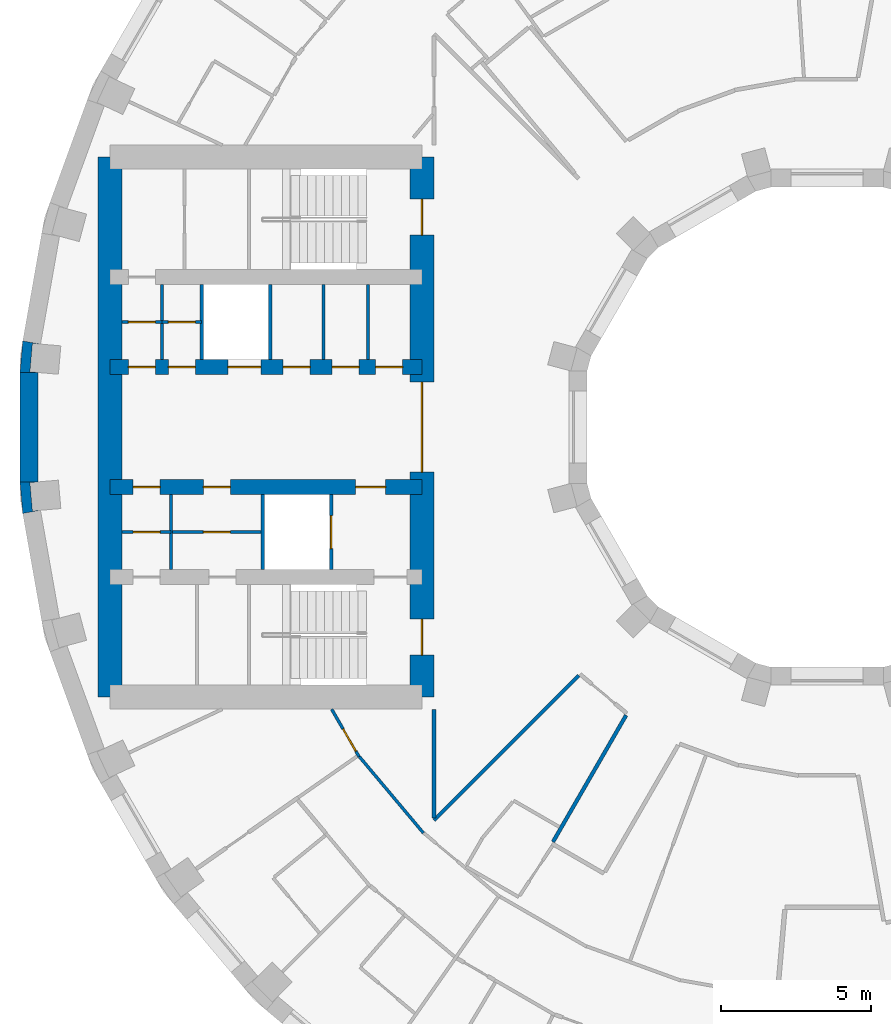
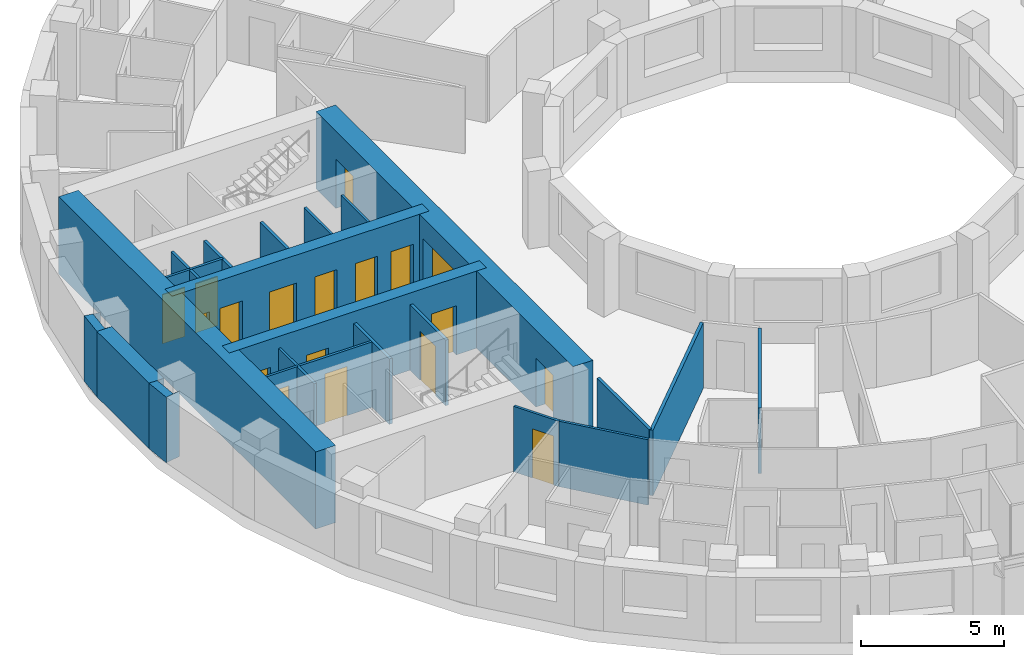
# One storey, part 7 of 16: 24 walls, 18 doors, 18 openings.
"""IFC4 building model written with IfcOpenShell, lengths in metres."""

from ifc_helpers import new_model, si_unit, direction, frame, frame_2d, origin, place, context, subcontext, project, spatial, polyline, rectangle, outline, extrude, material, layer, layer_set, type_object, element, fill, save


model = new_model("IFC4")

# Units and contexts
model_context = context("Model", 3, precision=1e-05, world=origin(), true_north=direction((0.0, 1.0)))
body_context = subcontext(model_context, "Body", "Model", "MODEL_VIEW")
ifc_project = project(units=[si_unit("LENGTHUNIT", "METRE"), si_unit("AREAUNIT", "SQUARE_METRE"), si_unit("VOLUMEUNIT", "CUBIC_METRE"), si_unit("PLANEANGLEUNIT", "RADIAN"), si_unit("MASSUNIT", "GRAM", prefix="KILO")], contexts=[model_context])

# Site, building, storey
site_placement = place(None, origin())
site = spatial("IfcSite", under=ifc_project, at=site_placement, CompositionType="ELEMENT")
building_placement = place(site_placement, origin())
building = spatial("IfcBuilding", under=site, at=building_placement, Name="Saqina Gate Tower", CompositionType="ELEMENT")
storey_placement = place(building_placement, frame((0.0, 0.0, 144.699951171875)))
storey = spatial("IfcBuildingStorey", under=building, at=storey_placement, Name="L41", CompositionType="ELEMENT", Elevation=144.699951171875)

# Walls
ifc_material_1 = material(Name="Brick masonry (buff)", Category="masonry")
wall_type_1 = type_object("IfcWallType", Name="BRICK PIER COPING BUFF", PredefinedType="SOLIDWALL", material=ifc_material_1)
wall_1_placement = place(storey_placement, origin())
element("IfcWall", 1, at=wall_1_placement, inside=storey, type_object=wall_type_1, Name="Pier cap L41 column 18", PredefinedType="SOLIDWALL", context=body_context, shape_type="SweptSolid", body=[
    extrude(outline(polyline([(-26.805419921875, 2.87451171875), (-26.897216796875, 1.823974609375), (-26.29736328125, 1.823974609375), (-26.565185546875, 1.847412109375), (-26.482421875, 2.793701171875), (-26.214599609375, 2.770263671875), (-26.805419921875, 2.87451171875)])), origin(), (0.0, 0.0, 1.0), 2.800048828125),
])
wall_2_placement = place(storey_placement, origin())
element("IfcWall", 2, at=wall_2_placement, inside=storey, type_object=wall_type_1, Name="Pier cap L41 column 19", PredefinedType="SOLIDWALL", context=body_context, shape_type="SweptSolid", body=[
    extrude(outline(polyline([(-26.805419921875, -2.87451171875), (-26.214599609375, -2.770263671875), (-26.482421875, -2.793701171875), (-26.565185546875, -1.847412109375), (-26.29736328125, -1.823974609375), (-26.897216796875, -1.823974609375), (-26.805419921875, -2.87451171875)])), origin(), (0.0, 0.0, 1.0), 2.800048828125),
])
ifc_material_2 = material(Name="Gypsum board on steel studs", Category="steel")
ifc_layer_1 = layer(ifc_material_2, 0.10009765625)
ifc_layer_set_1 = layer_set([ifc_layer_1], Name="CORE PARTITION")
wall_type_2 = type_object("IfcWallType", Name="CORE PARTITION", PredefinedType="PARTITIONING", material=ifc_layer_set_1)
for number, where, z_axis, x_axis, name in (
    (3, (-15.298095703125, 2.25, 0.0), (0.0, 0.0, 1.0), (0.0, 1.0, 0.0), "L41-CP-W01"),
    (4, (-16.789306640625, 2.25, 0.0), (0.0, 0.0, 1.0), (0.0, 1.0, 0.0), "L41-CP-W02"),
    (5, (-22.169921875, 2.25, 0.0), (0.0, 0.0, 1.0), (0.0, 1.0, 0.0), "L41-CP-W05"),
    (6, (-21.8583984375, -4.75, 0.0), (0.0, 0.0, 1.0), (0.0, 1.0, 0.0), "L41-CP-W08"),
):
    element("IfcWall", number, at=place(storey_placement, frame(where, z_axis=z_axis, x_axis=x_axis)), inside=storey, type_object=wall_type_2, Name=name, PredefinedType="PARTITIONING", context=body_context, shape_type="SweptSolid", body=[
        extrude(rectangle(XDim=2.5, YDim=0.10009765625, at=frame_2d((1.25, 0.0))), origin(), (0.0, 0.0, 1.0), 2.800048828125),
    ])

# Wall, opening, door
wall_3_placement = place(storey_placement, frame((-20.840087890625, 3.5, 0.0), z_axis=(0.0, 0.0, 1.0), x_axis=(-1.0, 0.0, 0.0)))
wall_3 = element("IfcWall", 7, at=wall_3_placement, inside=storey, type_object=wall_type_2, Name="L41-CP-W09", PredefinedType="PARTITIONING", context=body_context, shape_type="SweptSolid", body=[
    extrude(rectangle(XDim=1.329833984375, YDim=0.10009765625, at=frame_2d((0.6650390625, 0.0))), origin(), (0.0, 0.0, 1.0), 2.800048828125),
])
opening_1_placement = place(wall_3_placement, frame((0.215087890625, 0.0, 0.0)))
opening_1 = element("IfcOpeningElement", 8, at=opening_1_placement, cuts=wall_3, Name="Opening G12-D119", PredefinedType="OPENING", context=body_context, shape_type="SweptSolid", body=[
    extrude(rectangle(XDim=0.89990234375, YDim=2.10009765625, at=frame_2d((0.449951171875, 1.050048828125))), frame((0.0, 0.06201171875, 0.0), z_axis=(0.0, -1.0, 0.0), x_axis=(1.0, 0.0, 0.0)), (0.0, 0.0, 1.0), 0.1240234375),
])
ifc_material_3 = material(Name="Steel-framed fire door leaf, EI 60", Category="steel")
door_type_1 = type_object("IfcDoorType", Name="SERVICE ROOM DOOR 900", OperationType="SINGLE_SWING_LEFT", PredefinedType="DOOR", material=ifc_material_3)
door_1_placement = place(opening_1_placement, frame((0.89990234375, 0.0, 0.0), z_axis=(0.0, 0.0, 1.0), x_axis=(-1.0, 0.0, 0.0)))
door_1 = element("IfcDoor", 9, at=door_1_placement, inside=storey, type_object=door_type_1, Name="L41-CD-W30", OperationType="SINGLE_SWING_RIGHT", OverallHeight=2.10009765625, OverallWidth=0.89990234375, PredefinedType="DOOR", context=body_context, shape_type="SweptSolid", body=[
    extrude(rectangle(XDim=0.89990234375, YDim=2.10009765625, at=frame_2d((0.449951171875, 1.050048828125))), frame((0.0, 0.02490234375, 0.0), z_axis=(0.0, -1.0, 0.0), x_axis=(1.0, 0.0, 0.0)), (0.0, 0.0, 1.0), 0.050048828125),
])
fill(opening_1, door_1)

wall_4_placement = place(storey_placement, frame((-22.169921875, 3.5, 0.0), z_axis=(0.0, 0.0, 1.0), x_axis=(-1.0, 0.0, 0.0)))
wall_4 = element("IfcWall", 10, at=wall_4_placement, inside=storey, type_object=wall_type_2, Name="L41-CP-W10", PredefinedType="PARTITIONING", context=body_context, shape_type="SweptSolid", body=[
    extrude(rectangle(XDim=1.330078125, YDim=0.10009765625, at=frame_2d((0.6650390625, 0.0))), origin(), (0.0, 0.0, 1.0), 2.800048828125),
])
opening_2_placement = place(wall_4_placement, frame((0.215087890625, 0.0, 0.0)))
opening_2 = element("IfcOpeningElement", 11, at=opening_2_placement, cuts=wall_4, Name="Opening G12-D118", PredefinedType="OPENING", context=body_context, shape_type="SweptSolid", body=[
    extrude(rectangle(XDim=0.89990234375, YDim=2.10009765625, at=frame_2d((0.449951171875, 1.050048828125))), frame((0.0, 0.06201171875, 0.0), z_axis=(0.0, -1.0, 0.0), x_axis=(1.0, 0.0, 0.0)), (0.0, 0.0, 1.0), 0.1240234375),
])
door_2_placement = place(opening_2_placement, frame((0.89990234375, 0.0, 0.0), z_axis=(0.0, 0.0, 1.0), x_axis=(-1.0, 0.0, 0.0)))
door_2 = element("IfcDoor", 12, at=door_2_placement, inside=storey, type_object=door_type_1, Name="L41-CD-W29", OperationType="SINGLE_SWING_LEFT", OverallHeight=2.10009765625, OverallWidth=0.89990234375, PredefinedType="DOOR", context=body_context, shape_type="SweptSolid", body=[
    extrude(rectangle(XDim=0.89990234375, YDim=2.10009765625, at=frame_2d((0.449951171875, 1.050048828125))), frame((0.0, 0.02490234375, 0.0), z_axis=(0.0, -1.0, 0.0), x_axis=(1.0, 0.0, 0.0)), (0.0, 0.0, 1.0), 0.050048828125),
])
fill(opening_2, door_2)

wall_5_placement = place(storey_placement, frame((-18.81005859375, -3.5, 0.0), z_axis=(0.0, 0.0, 1.0), x_axis=(-1.0, 0.0, 0.0)))
wall_5 = element("IfcWall", 13, at=wall_5_placement, inside=storey, type_object=wall_type_2, Name="L41-CP-W11", PredefinedType="PARTITIONING", context=body_context, shape_type="SweptSolid", body=[
    extrude(rectangle(XDim=3.04833984375, YDim=0.10009765625, at=frame_2d((1.524169921875, 0.0))), origin(), (0.0, 0.0, 1.0), 2.800048828125),
])
opening_3_placement = place(wall_5_placement, frame((1.07421875, 0.0, 0.0)))
opening_3 = element("IfcOpeningElement", 14, at=opening_3_placement, cuts=wall_5, Name="Opening G12-D123", PredefinedType="OPENING", context=body_context, shape_type="SweptSolid", body=[
    extrude(rectangle(XDim=0.89990234375, YDim=2.10009765625, at=frame_2d((0.449951171875, 1.050048828125))), frame((0.0, 0.06201171875, 0.0), z_axis=(0.0, -1.0, 0.0), x_axis=(1.0, 0.0, 0.0)), (0.0, 0.0, 1.0), 0.1240234375),
])
door_3_placement = place(opening_3_placement, origin())
door_3 = element("IfcDoor", 15, at=door_3_placement, inside=storey, type_object=door_type_1, Name="L41-CD-W34", OperationType="SINGLE_SWING_LEFT", OverallHeight=2.10009765625, OverallWidth=0.89990234375, PredefinedType="DOOR", context=body_context, shape_type="SweptSolid", body=[
    extrude(rectangle(XDim=0.89990234375, YDim=2.10009765625, at=frame_2d((0.449951171875, 1.050048828125))), frame((0.0, 0.02490234375, 0.0), z_axis=(0.0, -1.0, 0.0), x_axis=(1.0, 0.0, 0.0)), (0.0, 0.0, 1.0), 0.050048828125),
])
fill(opening_3, door_3)

wall_6_placement = place(storey_placement, frame((-21.8583984375, -3.5, 0.0), z_axis=(0.0, 0.0, 1.0), x_axis=(-1.0, 0.0, 0.0)))
wall_6 = element("IfcWall", 16, at=wall_6_placement, inside=storey, type_object=wall_type_2, Name="L41-CP-W12", PredefinedType="PARTITIONING", context=body_context, shape_type="SweptSolid", body=[
    extrude(rectangle(XDim=1.6416015625, YDim=0.10009765625, at=frame_2d((0.82080078125, 0.0))), origin(), (0.0, 0.0, 1.0), 2.800048828125),
])
opening_4_placement = place(wall_6_placement, frame((0.370849609375, 0.0, 0.0)))
opening_4 = element("IfcOpeningElement", 17, at=opening_4_placement, cuts=wall_6, Name="Opening G12-D122", PredefinedType="OPENING", context=body_context, shape_type="SweptSolid", body=[
    extrude(rectangle(XDim=0.89990234375, YDim=2.10009765625, at=frame_2d((0.449951171875, 1.050048828125))), frame((0.0, 0.06201171875, 0.0), z_axis=(0.0, -1.0, 0.0), x_axis=(1.0, 0.0, 0.0)), (0.0, 0.0, 1.0), 0.1240234375),
])
door_4_placement = place(opening_4_placement, origin())
door_4 = element("IfcDoor", 18, at=door_4_placement, inside=storey, type_object=door_type_1, Name="L41-CD-W33", OperationType="SINGLE_SWING_RIGHT", OverallHeight=2.10009765625, OverallWidth=0.89990234375, PredefinedType="DOOR", context=body_context, shape_type="SweptSolid", body=[
    extrude(rectangle(XDim=0.89990234375, YDim=2.10009765625, at=frame_2d((0.449951171875, 1.050048828125))), frame((0.0, 0.02490234375, 0.0), z_axis=(0.0, -1.0, 0.0), x_axis=(1.0, 0.0, 0.0)), (0.0, 0.0, 1.0), 0.050048828125),
])
fill(opening_4, door_4)

# Wall
ifc_material_4 = material(Name="Glazed ceramic tile", Category="ceramic")
ifc_layer_2 = layer(ifc_material_4, 0.60009765625)
ifc_layer_set_2 = layer_set([ifc_layer_2], Name="FW-TILE")
wall_type_3 = type_object("IfcWallType", Name="FW-TILE", PredefinedType="SOLIDWALL", material=ifc_layer_set_2)
wall_7_placement = place(storey_placement, frame((-26.59716796875, 1.823974609375, 0.0), z_axis=(0.0, 0.0, 1.0), x_axis=(0.0, -1.0, 0.0)))
element("IfcWall", 19, at=wall_7_placement, inside=storey, type_object=wall_type_3, Name="Facade wall L41 facet 18", PredefinedType="SOLIDWALL", context=body_context, shape_type="SweptSolid", body=[
    extrude(rectangle(XDim=3.64794921875, YDim=0.60009765625, at=frame_2d((1.823974609375, 0.0))), origin(), (0.0, 0.0, 1.0), 2.800048828125),
])

# Wall, opening, door
ifc_material_5 = material(Name="Gypsum board on steel studs, 100 mm", Category="steel")
ifc_layer_3 = layer(ifc_material_5, 0.10009765625)
ifc_layer_set_3 = layer_set([ifc_layer_3], Name="PARTITION 100")
wall_type_4 = type_object("IfcWallType", Name="PARTITION 100", PredefinedType="PARTITIONING", material=ifc_layer_set_3)
wall_8_placement = place(storey_placement, frame((-16.510009765625, -9.39990234375, 0.0), z_axis=(0.0, 0.0, 1.0), x_axis=(0.499745582535, -0.866172241957, 0.0)))
wall_8 = element("IfcWall", 20, at=wall_8_placement, inside=storey, type_object=wall_type_4, Name="PARTITION PW3-11", PredefinedType="PARTITIONING", context=body_context, shape_type="SweptSolid", body=[
    extrude(rectangle(XDim=1.82763671875, YDim=0.10009765625, at=frame_2d((0.913818359375, 0.0))), origin(), (0.0, 0.0, 1.0), 2.800048828125),
])
opening_5_placement = place(wall_8_placement, frame((0.763427734375, 0.0, 0.0)))
opening_5 = element("IfcOpeningElement", 21, at=opening_5_placement, cuts=wall_8, Name="Opening G12-D32", PredefinedType="OPENING", context=body_context, shape_type="SweptSolid", body=[
    extrude(rectangle(XDim=0.85009765625, YDim=2.10009765625, at=frame_2d((0.425048828125, 1.050048828125))), frame((0.0, 0.06201171875, 0.0), z_axis=(0.0, -1.0, 0.0), x_axis=(1.0, 0.0, 0.0)), (0.0, 0.0, 1.0), 0.1240234375),
])
ifc_material_6 = material(Name="Timber door leaf, 850 mm", Category="wood")
door_type_2 = type_object("IfcDoorType", Name="DOOR 850 TIMBER", OperationType="SINGLE_SWING_LEFT", PredefinedType="DOOR", material=ifc_material_6)
door_5_placement = place(opening_5_placement, origin())
door_5 = element("IfcDoor", 22, at=door_5_placement, inside=storey, type_object=door_type_2, Name="DOOR G12-D32", OperationType="SINGLE_SWING_LEFT", OverallHeight=2.10009765625, OverallWidth=0.85009765625, PredefinedType="DOOR", context=body_context, shape_type="SweptSolid", body=[
    extrude(rectangle(XDim=0.85009765625, YDim=2.10009765625, at=frame_2d((0.425048828125, 1.050048828125))), frame((0.0, 0.02490234375, 0.0), z_axis=(0.0, -1.0, 0.0), x_axis=(1.0, 0.0, 0.0)), (0.0, 0.0, 1.0), 0.050048828125),
])
fill(opening_5, door_5)

# Walls
wall_9_placement = place(storey_placement, frame((-15.58984375, -10.977294921875, 0.0), z_axis=(0.0, 0.0, 1.0), x_axis=(0.642888943472, -0.765959402554, 0.0)))
element("IfcWall", 23, at=wall_9_placement, inside=storey, type_object=wall_type_4, Name="PARTITION PW3-18", PredefinedType="PARTITIONING", context=body_context, shape_type="SweptSolid", body=[
    extrude(rectangle(XDim=3.32470703125, YDim=0.10009765625, at=frame_2d((1.662353515625, 0.0))), origin(), (0.0, 0.0, 1.0), 2.800048828125),
])
ifc_material_7 = material(Name="Gypsum board on steel studs, 125 mm, fire rated", Category="steel")
ifc_layer_4 = layer(ifc_material_7, 0.125)
ifc_layer_set_4 = layer_set([ifc_layer_4], Name="PARTITION EI 30 125")
wall_type_5 = type_object("IfcWallType", Name="PARTITION EI 30 125", PredefinedType="PARTITIONING", material=ifc_layer_set_4)
wall_10_placement = place(storey_placement, frame((-13.097412109375, -13.096435546875, 0.0), z_axis=(0.0, 0.0, 1.0), x_axis=(0.707375421738, 0.706838038536, 0.0)))
element("IfcWall", 24, at=wall_10_placement, inside=storey, type_object=wall_type_5, Name="PARTITION PW1-48", PredefinedType="PARTITIONING", context=body_context, shape_type="SweptSolid", body=[
    extrude(rectangle(XDim=6.814697265625, YDim=0.125, at=frame_2d((3.4072265625, 0.0))), origin(), (0.0, 0.0, 1.0), 2.800048828125),
])
wall_11_placement = place(storey_placement, frame((-9.134765625, -13.82177734375, 0.0), z_axis=(0.0, 0.0, 1.0), x_axis=(0.500017246033, 0.866015446554, 0.0)))
element("IfcWall", 25, at=wall_11_placement, inside=storey, type_object=wall_type_5, Name="PARTITION PW1-54", PredefinedType="PARTITIONING", context=body_context, shape_type="SweptSolid", body=[
    extrude(rectangle(XDim=4.874755859375, YDim=0.125, at=frame_2d((2.4375, 0.0))), origin(), (0.0, 0.0, 1.0), 2.800048828125),
])
wall_12_placement = place(storey_placement, frame((-13.10009765625, -13.032470703125, 0.0), z_axis=(0.0, 0.0, 1.0), x_axis=(0.0, 1.0, 0.0)))
element("IfcWall", 26, at=wall_12_placement, inside=storey, type_object=wall_type_5, Name="PARTITION PW1-61", PredefinedType="PARTITIONING", context=body_context, shape_type="SweptSolid", body=[
    extrude(rectangle(XDim=3.631591796875, YDim=0.125, at=frame_2d((1.81591796875, 0.0))), origin(), (0.0, 0.0, 1.0), 2.800048828125),
])
ifc_material_8 = material(Name="Autoclaved aerated concrete block", Category="concrete")
ifc_layer_5 = layer(ifc_material_8, 0.1201171875)
ifc_layer_set_5 = layer_set([ifc_layer_5], Name="SHAFT PARTITION")
wall_type_6 = type_object("IfcWallType", Name="SHAFT PARTITION", PredefinedType="PARTITIONING", material=ifc_layer_set_5)
for number, where, z_axis, x_axis, name in (
    (27, (-18.56005859375, 2.25, 0.0), (0.0, 0.0, 1.0), (0.0, 1.0, 0.0), "L41-CP-W03"),
    (28, (-20.840087890625, 2.25, 0.0), (0.0, 0.0, 1.0), (0.0, 1.0, 0.0), "L41-CP-W04"),
):
    element("IfcWall", number, at=place(storey_placement, frame(where, z_axis=z_axis, x_axis=x_axis)), inside=storey, type_object=wall_type_6, Name=name, PredefinedType="PARTITIONING", context=body_context, shape_type="SweptSolid", body=[
        extrude(rectangle(XDim=2.5, YDim=0.1201171875, at=frame_2d((1.25, 0.0))), origin(), (0.0, 0.0, 1.0), 2.800048828125),
    ])

# Wall, opening, door
wall_13_placement = place(storey_placement, frame((-16.530029296875, -4.75, 0.0), z_axis=(0.0, 0.0, 1.0), x_axis=(0.0, 1.0, 0.0)))
wall_13 = element("IfcWall", 29, at=wall_13_placement, inside=storey, type_object=wall_type_6, Name="L41-CP-W06", PredefinedType="PARTITIONING", context=body_context, shape_type="SweptSolid", body=[
    extrude(rectangle(XDim=2.5, YDim=0.1201171875, at=frame_2d((1.25, 0.0))), origin(), (0.0, 0.0, 1.0), 2.800048828125),
])
opening_6_placement = place(wall_13_placement, frame((0.699951171875, 0.0, 0.0)))
opening_6 = element("IfcOpeningElement", 30, at=opening_6_placement, cuts=wall_13, Name="Opening G12-LD4", PredefinedType="OPENING", context=body_context, shape_type="SweptSolid", body=[
    extrude(rectangle(XDim=1.10009765625, YDim=2.10009765625, at=frame_2d((0.550048828125, 1.050048828125))), frame((0.0, 0.072021484375, 0.0), z_axis=(0.0, -1.0, 0.0), x_axis=(1.0, 0.0, 0.0)), (0.0, 0.0, 1.0), 0.14404296875),
])
ifc_material_9 = material(Name="Stainless steel", Category="steel")
door_type_3 = type_object("IfcDoorType", Name="LANDING DOOR", OperationType="DOUBLE_DOOR_SLIDING", PredefinedType="DOOR", material=ifc_material_9)
door_6_placement = place(opening_6_placement, origin())
door_6 = element("IfcDoor", 31, at=door_6_placement, inside=storey, type_object=door_type_3, Name="LANDING DOOR FF2", OperationType="DOUBLE_DOOR_SLIDING", OverallHeight=2.10009765625, OverallWidth=1.10009765625, PredefinedType="DOOR", context=body_context, shape_type="SweptSolid", body=[
    extrude(rectangle(XDim=1.10009765625, YDim=2.10009765625, at=frame_2d((0.550048828125, 1.050048828125))), frame((0.0, 0.02490234375, 0.0), z_axis=(0.0, -1.0, 0.0), x_axis=(1.0, 0.0, 0.0)), (0.0, 0.0, 1.0), 0.050048828125),
])
fill(opening_6, door_6)

# Wall
wall_14_placement = place(storey_placement, frame((-18.81005859375, -4.75, 0.0), z_axis=(0.0, 0.0, 1.0), x_axis=(0.0, 1.0, 0.0)))
element("IfcWall", 32, at=wall_14_placement, inside=storey, type_object=wall_type_6, Name="L41-CP-W07", PredefinedType="PARTITIONING", context=body_context, shape_type="SweptSolid", body=[
    extrude(rectangle(XDim=2.5, YDim=0.1201171875, at=frame_2d((1.25, 0.0))), origin(), (0.0, 0.0, 1.0), 2.800048828125),
])

# Wall, openings, doors
ifc_material_10 = material(Name="Concrete C70/85", Category="concrete")
ifc_layer_6 = layer(ifc_material_10, 0.5)
ifc_layer_set_6 = layer_set([ifc_layer_6], Name="Concrete C70/85")
wall_type_7 = type_object("IfcWallType", Name="STR-CORE WALL-B-I", PredefinedType="SHEAR", material=ifc_layer_set_6)
wall_15_placement = place(storey_placement, frame((-13.5, 2.0, 0.0), z_axis=(0.0, 0.0, 1.0), x_axis=(-1.0, 0.0, 0.0)))
wall_15 = element("IfcWall", 33, at=wall_15_placement, inside=storey, type_object=wall_type_7, Name="CORE WALL L41 W-L1", PredefinedType="SHEAR", context=body_context, shape_type="SweptSolid", body=[
    extrude(rectangle(XDim=10.39990234375, YDim=0.5, at=frame_2d((5.199951171875, 0.0))), origin(), (0.0, 0.0, 1.0), 3.300048828125),
])
opening_7_placement = place(wall_15_placement, frame((5.3701171875, 0.0, 0.0)))
opening_7 = element("IfcOpeningElement", 34, at=opening_7_placement, cuts=wall_15, Name="Opening G12-LD3", PredefinedType="OPENING", context=body_context, shape_type="SweptSolid", body=[
    extrude(rectangle(XDim=1.10009765625, YDim=2.10009765625, at=frame_2d((0.550048828125, 1.050048828125))), frame((0.0, 0.261962890625, 0.0), z_axis=(0.0, -1.0, 0.0), x_axis=(1.0, 0.0, 0.0)), (0.0, 0.0, 1.0), 0.52392578125),
])
opening_8_placement = place(wall_15_placement, frame((0.64892578125, 0.0, 0.0)))
opening_8 = element("IfcOpeningElement", 35, at=opening_8_placement, cuts=wall_15, Name="Opening G12-D110", PredefinedType="OPENING", context=body_context, shape_type="SweptSolid", body=[
    extrude(rectangle(XDim=0.89990234375, YDim=2.10009765625, at=frame_2d((0.449951171875, 1.050048828125))), frame((0.0, 0.261962890625, 0.0), z_axis=(0.0, -1.0, 0.0), x_axis=(1.0, 0.0, 0.0)), (0.0, 0.0, 1.0), 0.52392578125),
])
opening_9_placement = place(wall_15_placement, frame((2.093505859375, 0.0, 0.0)))
opening_9 = element("IfcOpeningElement", 36, at=opening_9_placement, cuts=wall_15, Name="Opening G12-D111", PredefinedType="OPENING", context=body_context, shape_type="SweptSolid", body=[
    extrude(rectangle(XDim=0.89990234375, YDim=2.10009765625, at=frame_2d((0.449951171875, 1.050048828125))), frame((0.0, 0.261962890625, 0.0), z_axis=(0.0, -1.0, 0.0), x_axis=(1.0, 0.0, 0.0)), (0.0, 0.0, 1.0), 0.52392578125),
])
opening_10_placement = place(wall_15_placement, frame((3.724609375, 0.0, 0.0)))
opening_10 = element("IfcOpeningElement", 37, at=opening_10_placement, cuts=wall_15, Name="Opening G12-D112", PredefinedType="OPENING", context=body_context, shape_type="SweptSolid", body=[
    extrude(rectangle(XDim=0.89990234375, YDim=2.10009765625, at=frame_2d((0.449951171875, 1.050048828125))), frame((0.0, 0.261962890625, 0.0), z_axis=(0.0, -1.0, 0.0), x_axis=(1.0, 0.0, 0.0)), (0.0, 0.0, 1.0), 0.52392578125),
])
opening_11_placement = place(wall_15_placement, frame((7.554931640625, 0.0, 0.0)))
opening_11 = element("IfcOpeningElement", 38, at=opening_11_placement, cuts=wall_15, Name="Opening G12-D113", PredefinedType="OPENING", context=body_context, shape_type="SweptSolid", body=[
    extrude(rectangle(XDim=0.89990234375, YDim=2.10009765625, at=frame_2d((0.449951171875, 1.050048828125))), frame((0.0, 0.261962890625, 0.0), z_axis=(0.0, -1.0, 0.0), x_axis=(1.0, 0.0, 0.0)), (0.0, 0.0, 1.0), 0.52392578125),
])
opening_12_placement = place(wall_15_placement, frame((8.885009765625, 0.0, 0.0)))
opening_12 = element("IfcOpeningElement", 39, at=opening_12_placement, cuts=wall_15, Name="Opening G12-D114", PredefinedType="OPENING", context=body_context, shape_type="SweptSolid", body=[
    extrude(rectangle(XDim=0.89990234375, YDim=2.10009765625, at=frame_2d((0.449951171875, 1.050048828125))), frame((0.0, 0.261962890625, 0.0), z_axis=(0.0, -1.0, 0.0), x_axis=(1.0, 0.0, 0.0)), (0.0, 0.0, 1.0), 0.52392578125),
])
door_7_placement = place(opening_7_placement, origin())
door_7 = element("IfcDoor", 40, at=door_7_placement, inside=storey, type_object=door_type_3, Name="LANDING DOOR MR2", OperationType="DOUBLE_DOOR_SLIDING", OverallHeight=2.10009765625, OverallWidth=1.10009765625, PredefinedType="DOOR", context=body_context, shape_type="SweptSolid", body=[
    extrude(rectangle(XDim=1.10009765625, YDim=2.10009765625, at=frame_2d((0.550048828125, 1.050048828125))), frame((0.0, 0.02490234375, 0.0), z_axis=(0.0, -1.0, 0.0), x_axis=(1.0, 0.0, 0.0)), (0.0, 0.0, 1.0), 0.050048828125),
])
fill(opening_7, door_7)
door_8_placement = place(opening_8_placement, frame((0.89990234375, 0.0, 0.0), z_axis=(0.0, 0.0, 1.0), x_axis=(-1.0, 0.0, 0.0)))
door_8 = element("IfcDoor", 41, at=door_8_placement, inside=storey, type_object=door_type_1, Name="L41-CD-W21", OperationType="SINGLE_SWING_RIGHT", OverallHeight=2.10009765625, OverallWidth=0.89990234375, PredefinedType="DOOR", context=body_context, shape_type="SweptSolid", body=[
    extrude(rectangle(XDim=0.89990234375, YDim=2.10009765625, at=frame_2d((0.449951171875, 1.050048828125))), frame((0.0, 0.02490234375, 0.0), z_axis=(0.0, -1.0, 0.0), x_axis=(1.0, 0.0, 0.0)), (0.0, 0.0, 1.0), 0.050048828125),
])
fill(opening_8, door_8)
door_9_placement = place(opening_9_placement, frame((0.89990234375, 0.0, 0.0), z_axis=(0.0, 0.0, 1.0), x_axis=(-1.0, 0.0, 0.0)))
door_9 = element("IfcDoor", 42, at=door_9_placement, inside=storey, type_object=door_type_1, Name="L41-CD-W22", OperationType="SINGLE_SWING_RIGHT", OverallHeight=2.10009765625, OverallWidth=0.89990234375, PredefinedType="DOOR", context=body_context, shape_type="SweptSolid", body=[
    extrude(rectangle(XDim=0.89990234375, YDim=2.10009765625, at=frame_2d((0.449951171875, 1.050048828125))), frame((0.0, 0.02490234375, 0.0), z_axis=(0.0, -1.0, 0.0), x_axis=(1.0, 0.0, 0.0)), (0.0, 0.0, 1.0), 0.050048828125),
])
fill(opening_9, door_9)
door_10_placement = place(opening_10_placement, frame((0.89990234375, 0.0, 0.0), z_axis=(0.0, 0.0, 1.0), x_axis=(-1.0, 0.0, 0.0)))
door_10 = element("IfcDoor", 43, at=door_10_placement, inside=storey, type_object=door_type_1, Name="L41-CD-W23", OperationType="SINGLE_SWING_LEFT", OverallHeight=2.10009765625, OverallWidth=0.89990234375, PredefinedType="DOOR", context=body_context, shape_type="SweptSolid", body=[
    extrude(rectangle(XDim=0.89990234375, YDim=2.10009765625, at=frame_2d((0.449951171875, 1.050048828125))), frame((0.0, 0.02490234375, 0.0), z_axis=(0.0, -1.0, 0.0), x_axis=(1.0, 0.0, 0.0)), (0.0, 0.0, 1.0), 0.050048828125),
])
fill(opening_10, door_10)
door_11_placement = place(opening_11_placement, frame((0.89990234375, 0.0, 0.0), z_axis=(0.0, 0.0, 1.0), x_axis=(-1.0, 0.0, 0.0)))
door_11 = element("IfcDoor", 44, at=door_11_placement, inside=storey, type_object=door_type_1, Name="L41-CD-W24", OperationType="SINGLE_SWING_RIGHT", OverallHeight=2.10009765625, OverallWidth=0.89990234375, PredefinedType="DOOR", context=body_context, shape_type="SweptSolid", body=[
    extrude(rectangle(XDim=0.89990234375, YDim=2.10009765625, at=frame_2d((0.449951171875, 1.050048828125))), frame((0.0, 0.02490234375, 0.0), z_axis=(0.0, -1.0, 0.0), x_axis=(1.0, 0.0, 0.0)), (0.0, 0.0, 1.0), 0.050048828125),
])
fill(opening_11, door_11)
door_12_placement = place(opening_12_placement, frame((0.89990234375, 0.0, 0.0), z_axis=(0.0, 0.0, 1.0), x_axis=(-1.0, 0.0, 0.0)))
door_12 = element("IfcDoor", 45, at=door_12_placement, inside=storey, type_object=door_type_1, Name="L41-CD-W25", OperationType="SINGLE_SWING_LEFT", OverallHeight=2.10009765625, OverallWidth=0.89990234375, PredefinedType="DOOR", context=body_context, shape_type="SweptSolid", body=[
    extrude(rectangle(XDim=0.89990234375, YDim=2.10009765625, at=frame_2d((0.449951171875, 1.050048828125))), frame((0.0, 0.02490234375, 0.0), z_axis=(0.0, -1.0, 0.0), x_axis=(1.0, 0.0, 0.0)), (0.0, 0.0, 1.0), 0.050048828125),
])
fill(opening_12, door_12)

wall_16_placement = place(storey_placement, frame((-13.5, -2.0, 0.0), z_axis=(0.0, 0.0, 1.0), x_axis=(-1.0, 0.0, 0.0)))
wall_16 = element("IfcWall", 46, at=wall_16_placement, inside=storey, type_object=wall_type_7, Name="CORE WALL L41 W-L2", PredefinedType="SHEAR", context=body_context, shape_type="SweptSolid", body=[
    extrude(rectangle(XDim=10.39990234375, YDim=0.5, at=frame_2d((5.199951171875, 0.0))), origin(), (0.0, 0.0, 1.0), 3.300048828125),
])
opening_13_placement = place(wall_16_placement, frame((1.215087890625, 0.0, 0.0)))
opening_13 = element("IfcOpeningElement", 47, at=opening_13_placement, cuts=wall_16, Name="Opening G12-D115", PredefinedType="OPENING", context=body_context, shape_type="SweptSolid", body=[
    extrude(rectangle(XDim=1.0, YDim=2.10009765625, at=frame_2d((0.5, 1.050048828125))), frame((0.0, 0.261962890625, 0.0), z_axis=(0.0, -1.0, 0.0), x_axis=(1.0, 0.0, 0.0)), (0.0, 0.0, 1.0), 0.52392578125),
])
opening_14_placement = place(wall_16_placement, frame((6.38427734375, 0.0, 0.0)))
opening_14 = element("IfcOpeningElement", 48, at=opening_14_placement, cuts=wall_16, Name="Opening G12-D116", PredefinedType="OPENING", context=body_context, shape_type="SweptSolid", body=[
    extrude(rectangle(XDim=0.89990234375, YDim=2.10009765625, at=frame_2d((0.449951171875, 1.050048828125))), frame((0.0, 0.261962890625, 0.0), z_axis=(0.0, -1.0, 0.0), x_axis=(1.0, 0.0, 0.0)), (0.0, 0.0, 1.0), 0.52392578125),
])
opening_15_placement = place(wall_16_placement, frame((8.729248046875, 0.0, 0.0)))
opening_15 = element("IfcOpeningElement", 49, at=opening_15_placement, cuts=wall_16, Name="Opening G12-D117", PredefinedType="OPENING", context=body_context, shape_type="SweptSolid", body=[
    extrude(rectangle(XDim=0.89990234375, YDim=2.10009765625, at=frame_2d((0.449951171875, 1.050048828125))), frame((0.0, 0.261962890625, 0.0), z_axis=(0.0, -1.0, 0.0), x_axis=(1.0, 0.0, 0.0)), (0.0, 0.0, 1.0), 0.52392578125),
])
ifc_material_11 = material(Name="Steel", Category="steel")
door_type_4 = type_object("IfcDoorType", Name="FIRE LOBBY DOOR EI 60", OperationType="SINGLE_SWING_LEFT", PredefinedType="DOOR", material=ifc_material_11)
door_13_placement = place(opening_13_placement, frame((1.0, 0.0, 0.0), z_axis=(0.0, 0.0, 1.0), x_axis=(-1.0, 0.0, 0.0)))
door_13 = element("IfcDoor", 50, at=door_13_placement, inside=storey, type_object=door_type_4, Name="L41-CD-W26", OperationType="SINGLE_SWING_RIGHT", OverallHeight=2.10009765625, OverallWidth=1.0, PredefinedType="DOOR", context=body_context, shape_type="SweptSolid", body=[
    extrude(rectangle(XDim=1.0, YDim=2.10009765625, at=frame_2d((0.5, 1.050048828125))), frame((0.0, 0.02490234375, 0.0), z_axis=(0.0, -1.0, 0.0), x_axis=(1.0, 0.0, 0.0)), (0.0, 0.0, 1.0), 0.050048828125),
])
fill(opening_13, door_13)
door_14_placement = place(opening_14_placement, origin())
door_14 = element("IfcDoor", 51, at=door_14_placement, inside=storey, type_object=door_type_1, Name="L41-CD-W27", OperationType="SINGLE_SWING_RIGHT", OverallHeight=2.10009765625, OverallWidth=0.89990234375, PredefinedType="DOOR", context=body_context, shape_type="SweptSolid", body=[
    extrude(rectangle(XDim=0.89990234375, YDim=2.10009765625, at=frame_2d((0.449951171875, 1.050048828125))), frame((0.0, 0.02490234375, 0.0), z_axis=(0.0, -1.0, 0.0), x_axis=(1.0, 0.0, 0.0)), (0.0, 0.0, 1.0), 0.050048828125),
])
fill(opening_14, door_14)
door_15_placement = place(opening_15_placement, origin())
door_15 = element("IfcDoor", 52, at=door_15_placement, inside=storey, type_object=door_type_1, Name="L41-CD-W28", OperationType="SINGLE_SWING_RIGHT", OverallHeight=2.10009765625, OverallWidth=0.89990234375, PredefinedType="DOOR", context=body_context, shape_type="SweptSolid", body=[
    extrude(rectangle(XDim=0.89990234375, YDim=2.10009765625, at=frame_2d((0.449951171875, 1.050048828125))), frame((0.0, 0.02490234375, 0.0), z_axis=(0.0, -1.0, 0.0), x_axis=(1.0, 0.0, 0.0)), (0.0, 0.0, 1.0), 0.050048828125),
])
fill(opening_15, door_15)

ifc_material_12 = material(Name="Concrete C70/85", Category="concrete")
ifc_layer_7 = layer(ifc_material_12, 0.800048828125)
ifc_layer_set_7 = layer_set([ifc_layer_7], Name="Concrete C70/85")
wall_type_8 = type_object("IfcWallType", Name="STR-CORE WALL-B-O", PredefinedType="SHEAR", material=ifc_layer_set_7)
wall_17_placement = place(storey_placement, frame((-13.5, -9.0, 0.0), z_axis=(0.0, 0.0, 1.0), x_axis=(0.0, 1.0, 0.0)))
wall_17 = element("IfcWall", 53, at=wall_17_placement, inside=storey, type_object=wall_type_8, Name="CORE WALL L41 W-W1", PredefinedType="SHEAR", context=body_context, shape_type="SweptSolid", body=[
    extrude(rectangle(XDim=18.0, YDim=0.800048828125, at=frame_2d((9.0, 0.0))), origin(), (0.0, 0.0, 1.0), 3.300048828125),
])
opening_16_placement = place(wall_17_placement, frame((15.39990234375, 0.0, 0.0)))
opening_16 = element("IfcOpeningElement", 54, at=opening_16_placement, cuts=wall_17, Name="Opening G12-D127", PredefinedType="OPENING", context=body_context, shape_type="SweptSolid", body=[
    extrude(rectangle(XDim=1.199951171875, YDim=2.10009765625, at=frame_2d((0.60009765625, 1.050048828125))), frame((0.0, 0.412109375, 0.0), z_axis=(0.0, -1.0, 0.0), x_axis=(1.0, 0.0, 0.0)), (0.0, 0.0, 1.0), 0.823974609375),
])
opening_17_placement = place(wall_17_placement, frame((1.39990234375, 0.0, 0.0)))
opening_17 = element("IfcOpeningElement", 55, at=opening_17_placement, cuts=wall_17, Name="Opening G12-D128", PredefinedType="OPENING", context=body_context, shape_type="SweptSolid", body=[
    extrude(rectangle(XDim=1.199951171875, YDim=2.10009765625, at=frame_2d((0.60009765625, 1.050048828125))), frame((0.0, 0.412109375, 0.0), z_axis=(0.0, -1.0, 0.0), x_axis=(1.0, 0.0, 0.0)), (0.0, 0.0, 1.0), 0.823974609375),
])
opening_18_placement = place(wall_17_placement, frame((7.5, 0.0, 0.0)))
opening_18 = element("IfcOpeningElement", 56, at=opening_18_placement, cuts=wall_17, Name="Opening G12-D129", PredefinedType="OPENING", context=body_context, shape_type="SweptSolid", body=[
    extrude(rectangle(XDim=3.0, YDim=2.39990234375, at=frame_2d((1.5, 1.199951171875))), frame((0.0, 0.412109375, 0.0), z_axis=(0.0, -1.0, 0.0), x_axis=(1.0, 0.0, 0.0)), (0.0, 0.0, 1.0), 0.823974609375),
])
ifc_material_13 = material(Name="Steel", Category="steel")
door_type_5 = type_object("IfcDoorType", Name="FIRE DOOR EI 60", OperationType="SINGLE_SWING_LEFT", PredefinedType="DOOR", material=ifc_material_13)
door_16_placement = place(opening_16_placement, origin())
door_16 = element("IfcDoor", 57, at=door_16_placement, inside=storey, type_object=door_type_5, Name="L41-CD-W38", OperationType="SINGLE_SWING_RIGHT", OverallHeight=2.10009765625, OverallWidth=1.199951171875, PredefinedType="DOOR", context=body_context, shape_type="SweptSolid", body=[
    extrude(rectangle(XDim=1.199951171875, YDim=2.10009765625, at=frame_2d((0.60009765625, 1.050048828125))), frame((0.0, 0.02490234375, 0.0), z_axis=(0.0, -1.0, 0.0), x_axis=(1.0, 0.0, 0.0)), (0.0, 0.0, 1.0), 0.050048828125),
])
fill(opening_16, door_16)
door_17_placement = place(opening_17_placement, origin())
door_17 = element("IfcDoor", 58, at=door_17_placement, inside=storey, type_object=door_type_5, Name="L41-CD-W39", OperationType="SINGLE_SWING_LEFT", OverallHeight=2.10009765625, OverallWidth=1.199951171875, PredefinedType="DOOR", context=body_context, shape_type="SweptSolid", body=[
    extrude(rectangle(XDim=1.199951171875, YDim=2.10009765625, at=frame_2d((0.60009765625, 1.050048828125))), frame((0.0, 0.02490234375, 0.0), z_axis=(0.0, -1.0, 0.0), x_axis=(1.0, 0.0, 0.0)), (0.0, 0.0, 1.0), 0.050048828125),
])
fill(opening_17, door_17)
ifc_material_14 = material(Name="Steel and fire-resisting glass", Category="steel")
door_type_6 = type_object("IfcDoorType", Name="LOBBY SCREEN DOOR", OperationType="DOUBLE_DOOR_SLIDING", PredefinedType="DOOR", material=ifc_material_14)
door_18_placement = place(opening_18_placement, origin())
door_18 = element("IfcDoor", 59, at=door_18_placement, inside=storey, type_object=door_type_6, Name="L41-CD-W40", OperationType="DOUBLE_DOOR_SLIDING", OverallHeight=2.39990234375, OverallWidth=3.0, PredefinedType="DOOR", context=body_context, shape_type="SweptSolid", body=[
    extrude(rectangle(XDim=3.0, YDim=2.39990234375, at=frame_2d((1.5, 1.199951171875))), frame((0.0, 0.02490234375, 0.0), z_axis=(0.0, -1.0, 0.0), x_axis=(1.0, 0.0, 0.0)), (0.0, 0.0, 1.0), 0.050048828125),
])
fill(opening_18, door_18)

# Wall
wall_18_placement = place(storey_placement, frame((-23.89990234375, -9.0, 0.0), z_axis=(0.0, 0.0, 1.0), x_axis=(0.0, 1.0, 0.0)))
element("IfcWall", 60, at=wall_18_placement, inside=storey, type_object=wall_type_8, Name="CORE WALL L41 W-W2", PredefinedType="SHEAR", context=body_context, shape_type="SweptSolid", body=[
    extrude(rectangle(XDim=18.0, YDim=0.800048828125, at=frame_2d((9.0, 0.0))), origin(), (0.0, 0.0, 1.0), 3.300048828125),
])

save(model, "model.ifc")
